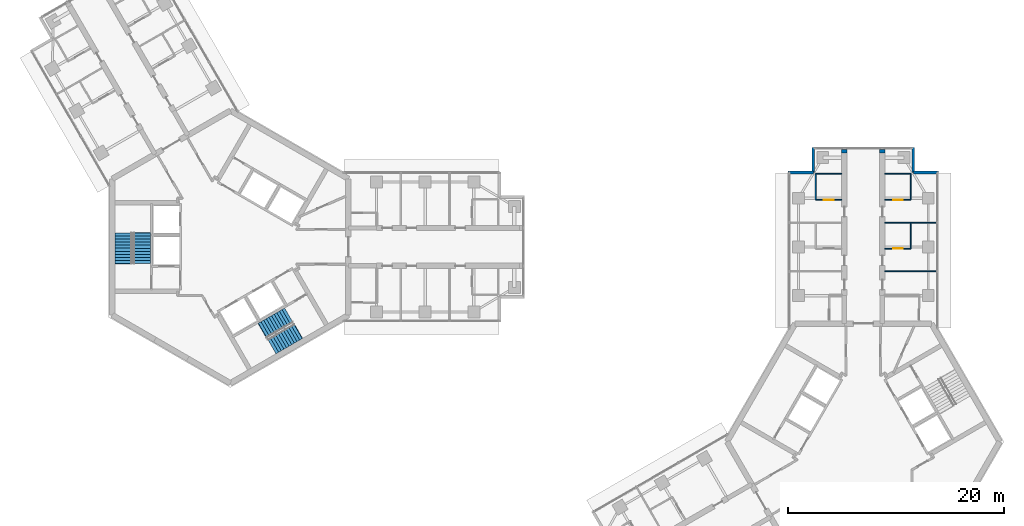
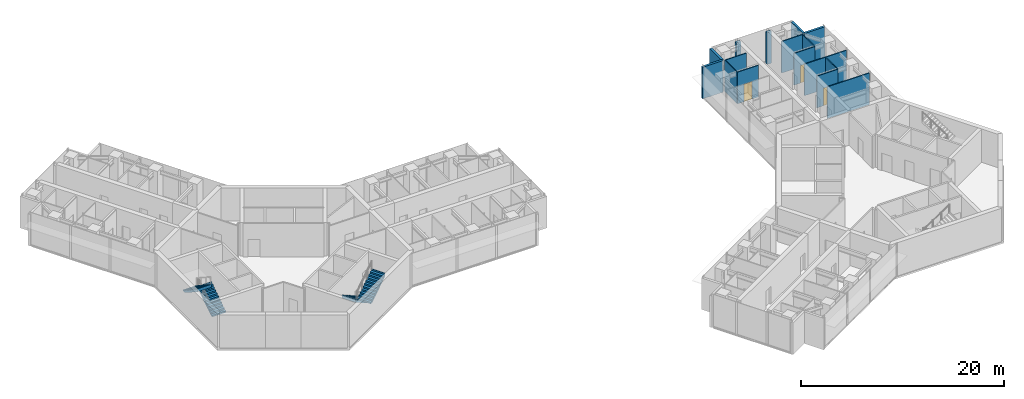
# One storey, part 16 of 18: 16 walls, 4 stair flights, 3 doors, 3 openings, 2 elements without a shape of their own.
"""IFC4 building model written with IfcOpenShell, lengths in metres."""

from ifc_helpers import new_model, si_unit, direction, frame, frame_2d, origin, place, context, subcontext, project, spatial, polyline, rectangle, outline, extrude, material, layer, layer_set, type_object, element, fill, aggregate, save


model = new_model("IFC4")

# Units and contexts
model_context = context("Model", 3, precision=1e-05, world=origin(), true_north=direction((0.0, 1.0)))
body_context = subcontext(model_context, "Body", "Model", "MODEL_VIEW")
ifc_project = project(units=[si_unit("LENGTHUNIT", "METRE"), si_unit("AREAUNIT", "SQUARE_METRE"), si_unit("VOLUMEUNIT", "CUBIC_METRE"), si_unit("PLANEANGLEUNIT", "RADIAN"), si_unit("MASSUNIT", "GRAM", prefix="KILO")], contexts=[model_context])

# Site, building, storey
site_placement = place(None, origin())
site = spatial("IfcSite", under=ifc_project, at=site_placement, CompositionType="ELEMENT")
building_placement = place(site_placement, origin())
building = spatial("IfcBuilding", under=site, at=building_placement, Name="Upepo Twin Towers", CompositionType="ELEMENT")
storey_placement = place(building_placement, frame((0.0, 0.0, 226.5)))
storey = spatial("IfcBuildingStorey", under=building, at=storey_placement, Name="L55", CompositionType="ELEMENT", Elevation=226.5)

# Walls
ifc_material_1 = material(Name="Dense concrete blockwork", Category="masonry")
ifc_layer_1 = layer(ifc_material_1, 0.5)
ifc_layer_set_1 = layer_set([ifc_layer_1], Name="Buttress closer 500, blockwork with fire-stopping to the curtain wall")
wall_type_1 = type_object("IfcWallType", Name="Buttress closer 500, blockwork with fire-stopping to the curtain wall", PredefinedType="PARTITIONING", material=ifc_layer_set_1)
for number, where, z_axis, x_axis, name in (
    (1, (56.75, 8.699951171875, 0.0), (0.0, 0.0, 1.0), (0.0, 1.0, 0.0), "T2 L55 wing A buttress closer L"),
    (2, (60.25, 8.699951171875, 0.0), (0.0, 0.0, 1.0), (0.0, 1.0, 0.0), "T2 L55 wing A buttress closer R"),
):
    element("IfcWall", number, at=place(storey_placement, frame(where, z_axis=z_axis, x_axis=x_axis)), inside=storey, type_object=wall_type_1, Name=name, PredefinedType="PARTITIONING", context=body_context, shape_type="SweptSolid", body=[
        extrude(rectangle(XDim=0.28759765625, YDim=0.5, at=frame_2d((0.143798828125, 0.0))), origin(), (0.0, 0.0, 1.0), 3.800048828125),
    ])
ifc_material_2 = material(Name="Blockwork with anodised aluminium cladding", Category="masonry")
ifc_layer_2 = layer(ifc_material_2, 0.25)
ifc_layer_set_2 = layer_set([ifc_layer_2], Name="Notch cladding wall 250, pale metal")
wall_type_2 = type_object("IfcWallType", Name="Notch cladding wall 250, pale metal", PredefinedType="STANDARD", material=ifc_layer_set_2)
for number, where, z_axis, x_axis, name in (
    (3, (51.550048828125, 6.875, 0.0), (0.0, 0.0, 1.0), (1.0, 0.0, 0.0), "T2 L55 wing A notch wall L1"),
    (4, (53.875, 6.875, 0.0), (0.0, 0.0, 1.0), (0.0, 1.0, 0.0), "T2 L55 wing A notch wall L2"),
    (5, (65.449951171875, 6.875, 0.0), (0.0, 0.0, 1.0), (-1.0, 0.0, 0.0), "T2 L55 wing A notch wall R1"),
    (6, (63.125, 6.875, 0.0), (0.0, 0.0, 1.0), (0.0, 1.0, 0.0), "T2 L55 wing A notch wall R2"),
):
    element("IfcWall", number, at=place(storey_placement, frame(where, z_axis=z_axis, x_axis=x_axis)), inside=storey, type_object=wall_type_2, Name=name, PredefinedType="STANDARD", context=body_context, shape_type="SweptSolid", body=[
        extrude(rectangle(XDim=2.324951171875, YDim=0.25, at=frame_2d((1.16259765625, 0.0))), origin(), (0.0, 0.0, 1.0), 3.800048828125),
    ])
ifc_material_3 = material(Name="Gypsum board on steel studs", Category="steel")
ifc_layer_3 = layer(ifc_material_3, 0.10009765625)
ifc_layer_set_3 = layer_set([ifc_layer_3], Name="Office partition 100 stud")
wall_type_3 = type_object("IfcWallType", Name="Office partition 100 stud", PredefinedType="PARTITIONING", material=ifc_layer_set_3)
wall_1_placement = place(storey_placement, frame((54.10009765625, 4.35009765625, 0.0), z_axis=(0.0, 0.0, 1.0), x_axis=(0.0, 1.0, 0.0)))
element("IfcWall", 7, at=wall_1_placement, inside=storey, type_object=wall_type_3, Name="T2 inner room partition AL at 22.35", PredefinedType="PARTITIONING", context=body_context, shape_type="SweptSolid", body=[
    extrude(rectangle(XDim=2.39990234375, YDim=0.10009765625, at=frame_2d((1.199951171875, 0.0))), origin(), (0.0, 0.0, 1.0), 3.800048828125),
])

# Wall, opening, door
wall_2_placement = place(storey_placement, frame((56.5, 4.35009765625, 0.0), z_axis=(0.0, 0.0, 1.0), x_axis=(-1.0, 0.0, 0.0)))
wall_2 = element("IfcWall", 8, at=wall_2_placement, inside=storey, type_object=wall_type_3, Name="T2 inner room partition AL end at 22.35", PredefinedType="PARTITIONING", context=body_context, shape_type="SweptSolid", body=[
    extrude(rectangle(XDim=2.39990234375, YDim=0.10009765625, at=frame_2d((1.199951171875, 0.0))), origin(), (0.0, 0.0, 1.0), 3.800048828125),
])
opening_1_placement = place(wall_2_placement, frame((0.75, 0.0, 0.0)))
opening_1 = element("IfcOpeningElement", 9, at=opening_1_placement, cuts=wall_2, Name="Opening D14", PredefinedType="OPENING", context=body_context, shape_type="SweptSolid", body=[
    extrude(rectangle(XDim=0.89990234375, YDim=2.10009765625, at=frame_2d((0.449951171875, 1.050048828125))), frame((0.0, 0.06005859375, 0.0), z_axis=(0.0, -1.0, 0.0), x_axis=(1.0, 0.0, 0.0)), (0.0, 0.0, 1.0), 0.1201171875),
])
ifc_material_4 = material(Name="Timber doorset", Category="wood")
door_type = type_object("IfcDoorType", Name="Office door 900 FD30", OperationType="SINGLE_SWING_LEFT", PredefinedType="DOOR", material=ifc_material_4)
door_1_placement = place(opening_1_placement, origin())
door_1 = element("IfcDoor", 10, at=door_1_placement, inside=storey, type_object=door_type, Name="T2 L55 inner room door", OperationType="SINGLE_SWING_LEFT", OverallHeight=2.10009765625, OverallWidth=0.89990234375, PredefinedType="DOOR", context=body_context, shape_type="SweptSolid", body=[
    extrude(rectangle(XDim=0.89990234375, YDim=2.10009765625, at=frame_2d((0.449951171875, 1.050048828125))), frame((0.0, 0.02490234375, 0.0), z_axis=(0.0, -1.0, 0.0), x_axis=(1.0, 0.0, 0.0)), (0.0, 0.0, 1.0), 0.050048828125),
])
fill(opening_1, door_1)

# Walls
wall_3_placement = place(storey_placement, frame((56.5, 6.75, 0.0), z_axis=(0.0, 0.0, 1.0), x_axis=(-1.0, 0.0, 0.0)))
element("IfcWall", 11, at=wall_3_placement, inside=storey, type_object=wall_type_3, Name="T2 inner room partition AL end at 24.75", PredefinedType="PARTITIONING", context=body_context, shape_type="SweptSolid", body=[
    extrude(rectangle(XDim=2.39990234375, YDim=0.10009765625, at=frame_2d((1.199951171875, 0.0))), origin(), (0.0, 0.0, 1.0), 3.800048828125),
])
for number, where, z_axis, x_axis, name in (
    (12, (60.5, -2.25, 0.0), (0.0, 0.0, 1.0), (1.0, 0.0, 0.0), "T2 partition AR at 15.75"),
    (13, (60.5, 2.25, 0.0), (0.0, 0.0, 1.0), (1.0, 0.0, 0.0), "T2 partition AR at 20.25"),
):
    element("IfcWall", number, at=place(storey_placement, frame(where, z_axis=z_axis, x_axis=x_axis)), inside=storey, type_object=wall_type_3, Name=name, PredefinedType="PARTITIONING", context=body_context, shape_type="SweptSolid", body=[
        extrude(rectangle(XDim=4.75, YDim=0.10009765625, at=frame_2d((2.375, 0.0))), origin(), (0.0, 0.0, 1.0), 3.800048828125),
    ])
wall_4_placement = place(storey_placement, frame((62.89990234375, -0.14990234375, 0.0), z_axis=(0.0, 0.0, 1.0), x_axis=(0.0, 1.0, 0.0)))
element("IfcWall", 14, at=wall_4_placement, inside=storey, type_object=wall_type_3, Name="T2 inner room partition AR at 17.85", PredefinedType="PARTITIONING", context=body_context, shape_type="SweptSolid", body=[
    extrude(rectangle(XDim=2.39990234375, YDim=0.10009765625, at=frame_2d((1.199951171875, 0.0))), origin(), (0.0, 0.0, 1.0), 3.800048828125),
])

# Wall, opening, door
wall_5_placement = place(storey_placement, frame((60.5, -0.14990234375, 0.0), z_axis=(0.0, 0.0, 1.0), x_axis=(1.0, 0.0, 0.0)))
wall_5 = element("IfcWall", 15, at=wall_5_placement, inside=storey, type_object=wall_type_3, Name="T2 inner room partition AR end at 17.85", PredefinedType="PARTITIONING", context=body_context, shape_type="SweptSolid", body=[
    extrude(rectangle(XDim=2.39990234375, YDim=0.10009765625, at=frame_2d((1.199951171875, 0.0))), origin(), (0.0, 0.0, 1.0), 3.800048828125),
])
opening_2_placement = place(wall_5_placement, frame((0.75, 0.0, 0.0)))
opening_2 = element("IfcOpeningElement", 16, at=opening_2_placement, cuts=wall_5, Name="Opening D14", PredefinedType="OPENING", context=body_context, shape_type="SweptSolid", body=[
    extrude(rectangle(XDim=0.89990234375, YDim=2.10009765625, at=frame_2d((0.449951171875, 1.050048828125))), frame((0.0, 0.06005859375, 0.0), z_axis=(0.0, -1.0, 0.0), x_axis=(1.0, 0.0, 0.0)), (0.0, 0.0, 1.0), 0.1201171875),
])
door_2_placement = place(opening_2_placement, origin())
door_2 = element("IfcDoor", 17, at=door_2_placement, inside=storey, type_object=door_type, Name="T2 L55 inner room door", OperationType="SINGLE_SWING_LEFT", OverallHeight=2.10009765625, OverallWidth=0.89990234375, PredefinedType="DOOR", context=body_context, shape_type="SweptSolid", body=[
    extrude(rectangle(XDim=0.89990234375, YDim=2.10009765625, at=frame_2d((0.449951171875, 1.050048828125))), frame((0.0, 0.02490234375, 0.0), z_axis=(0.0, -1.0, 0.0), x_axis=(1.0, 0.0, 0.0)), (0.0, 0.0, 1.0), 0.050048828125),
])
fill(opening_2, door_2)

# Wall
wall_6_placement = place(storey_placement, frame((62.89990234375, 4.35009765625, 0.0), z_axis=(0.0, 0.0, 1.0), x_axis=(0.0, 1.0, 0.0)))
element("IfcWall", 18, at=wall_6_placement, inside=storey, type_object=wall_type_3, Name="T2 inner room partition AR at 22.35", PredefinedType="PARTITIONING", context=body_context, shape_type="SweptSolid", body=[
    extrude(rectangle(XDim=2.39990234375, YDim=0.10009765625, at=frame_2d((1.199951171875, 0.0))), origin(), (0.0, 0.0, 1.0), 3.800048828125),
])

# Wall, opening, door
wall_7_placement = place(storey_placement, frame((60.5, 4.35009765625, 0.0), z_axis=(0.0, 0.0, 1.0), x_axis=(1.0, 0.0, 0.0)))
wall_7 = element("IfcWall", 19, at=wall_7_placement, inside=storey, type_object=wall_type_3, Name="T2 inner room partition AR end at 22.35", PredefinedType="PARTITIONING", context=body_context, shape_type="SweptSolid", body=[
    extrude(rectangle(XDim=2.39990234375, YDim=0.10009765625, at=frame_2d((1.199951171875, 0.0))), origin(), (0.0, 0.0, 1.0), 3.800048828125),
])
opening_3_placement = place(wall_7_placement, frame((0.75, 0.0, 0.0)))
opening_3 = element("IfcOpeningElement", 20, at=opening_3_placement, cuts=wall_7, Name="Opening D14", PredefinedType="OPENING", context=body_context, shape_type="SweptSolid", body=[
    extrude(rectangle(XDim=0.89990234375, YDim=2.10009765625, at=frame_2d((0.449951171875, 1.050048828125))), frame((0.0, 0.06005859375, 0.0), z_axis=(0.0, -1.0, 0.0), x_axis=(1.0, 0.0, 0.0)), (0.0, 0.0, 1.0), 0.1201171875),
])
door_3_placement = place(opening_3_placement, origin())
door_3 = element("IfcDoor", 21, at=door_3_placement, inside=storey, type_object=door_type, Name="T2 L55 inner room door", OperationType="SINGLE_SWING_LEFT", OverallHeight=2.10009765625, OverallWidth=0.89990234375, PredefinedType="DOOR", context=body_context, shape_type="SweptSolid", body=[
    extrude(rectangle(XDim=0.89990234375, YDim=2.10009765625, at=frame_2d((0.449951171875, 1.050048828125))), frame((0.0, 0.02490234375, 0.0), z_axis=(0.0, -1.0, 0.0), x_axis=(1.0, 0.0, 0.0)), (0.0, 0.0, 1.0), 0.050048828125),
])
fill(opening_3, door_3)

# Wall
wall_8_placement = place(storey_placement, frame((60.5, 6.75, 0.0), z_axis=(0.0, 0.0, 1.0), x_axis=(1.0, 0.0, 0.0)))
element("IfcWall", 22, at=wall_8_placement, inside=storey, type_object=wall_type_3, Name="T2 inner room partition AR end at 24.75", PredefinedType="PARTITIONING", context=body_context, shape_type="SweptSolid", body=[
    extrude(rectangle(XDim=2.39990234375, YDim=0.10009765625, at=frame_2d((1.199951171875, 0.0))), origin(), (0.0, 0.0, 1.0), 3.800048828125),
])

# Stair, stair flights
ifc_material_5 = material(Name="Concrete C40/50", Category="concrete")
stair_type = type_object("IfcStairType", Name="Core stair, two flights", PredefinedType="HALF_TURN_STAIR", material=ifc_material_5)
stair_1_placement = place(storey_placement, origin())
stair_1 = element("IfcStair", 23, at=stair_1_placement, inside=storey, type_object=stair_type, Name="T1 stair S1 L55", PredefinedType="HALF_TURN_STAIR")
ifc_material_6 = material(Name="Concrete C40/50", Category="concrete")
stair_flight_type = type_object("IfcStairFlightType", Name="Stair flight 1550 RC", PredefinedType="STRAIGHT", material=ifc_material_6)
stair_flight_1_placement = place(storey_placement, frame((-8.175048828125, -1.52001953125, 0.0), z_axis=(0.0, 0.0, 1.0), x_axis=(0.0, 1.0, 0.0)))
stair_flight_1 = element("IfcStairFlight", 24, at=stair_flight_1_placement, type_object=stair_flight_type, Name="Stair S1 flight 1", NumberOfRisers=11, NumberOfTreads=10, PredefinedType="STRAIGHT", RiserHeight=0.181818182, TreadLength=0.28, context=body_context, shape_type="SweptSolid", body=[
    extrude(outline(polyline([(0.0, 0.0), (0.0, 0.181884765625), (0.280029296875, 0.181884765625), (0.280029296875, 0.363525390625), (0.56005859375, 0.363525390625), (0.56005859375, 0.54541015625), (0.840087890625, 0.54541015625), (0.840087890625, 0.727294921875), (1.1201171875, 0.727294921875), (1.1201171875, 0.9091796875), (1.39990234375, 0.9091796875), (1.39990234375, 1.0908203125), (1.679931640625, 1.0908203125), (1.679931640625, 1.272705078125), (1.9599609375, 1.272705078125), (1.9599609375, 1.45458984375), (2.239990234375, 1.45458984375), (2.239990234375, 1.636474609375), (2.52001953125, 1.636474609375), (2.52001953125, 1.818115234375), (2.800048828125, 1.818115234375), (2.800048828125, 2.0), (2.85009765625, 2.0), (2.85009765625, 1.639404296875), (0.3251953125, 0.0), (0.0, 0.0)])), frame((0.0, 0.77490234375, 0.0), z_axis=(0.0, -1.0, 0.0), x_axis=(1.0, 0.0, 0.0)), (0.0, 0.0, 1.0), 1.550048828125),
])
stair_flight_2_placement = place(storey_placement, frame((-9.88330078125, 1.280029296875, 2.0), z_axis=(0.0, 0.0, 1.0), x_axis=(0.0, -1.0, 0.0)))
stair_flight_2 = element("IfcStairFlight", 25, at=stair_flight_2_placement, type_object=stair_flight_type, Name="Stair S1 flight 2", NumberOfRisers=11, NumberOfTreads=10, PredefinedType="STRAIGHT", RiserHeight=0.181818182, TreadLength=0.28, context=body_context, shape_type="SweptSolid", body=[
    extrude(outline(polyline([(0.0, 0.0), (0.0, 0.181884765625), (0.280029296875, 0.181884765625), (0.280029296875, 0.363525390625), (0.56005859375, 0.363525390625), (0.56005859375, 0.54541015625), (0.840087890625, 0.54541015625), (0.840087890625, 0.727294921875), (1.1201171875, 0.727294921875), (1.1201171875, 0.9091796875), (1.39990234375, 0.9091796875), (1.39990234375, 1.0908203125), (1.679931640625, 1.0908203125), (1.679931640625, 1.272705078125), (1.9599609375, 1.272705078125), (1.9599609375, 1.45458984375), (2.239990234375, 1.45458984375), (2.239990234375, 1.636474609375), (2.52001953125, 1.636474609375), (2.52001953125, 1.818115234375), (2.800048828125, 1.818115234375), (2.800048828125, 2.0), (2.85009765625, 2.0), (2.85009765625, 1.639404296875), (0.3251953125, 0.0), (0.0, 0.0)])), frame((0.0, 0.77490234375, 0.0), z_axis=(0.0, -1.0, 0.0), x_axis=(1.0, 0.0, 0.0)), (0.0, 0.0, 1.0), 1.550048828125),
])
aggregate(stair_1, [stair_flight_1, stair_flight_2])

stair_2_placement = place(storey_placement, origin())
stair_2 = element("IfcStair", 26, at=stair_2_placement, inside=storey, type_object=stair_type, Name="T1 stair S2 L55", PredefinedType="HALF_TURN_STAIR")
stair_flight_3_placement = place(storey_placement, frame((5.40380859375, -6.31982421875, 0.0), z_axis=(0.0, 0.0, 1.0), x_axis=(-0.866025403784, -0.5, 0.0)))
stair_flight_3 = element("IfcStairFlight", 27, at=stair_flight_3_placement, type_object=stair_flight_type, Name="Stair S2 flight 1", NumberOfRisers=11, NumberOfTreads=10, PredefinedType="STRAIGHT", RiserHeight=0.181818182, TreadLength=0.28, context=body_context, shape_type="SweptSolid", body=[
    extrude(outline(polyline([(0.0, 0.0), (0.0, 0.181884765625), (0.280029296875, 0.181884765625), (0.280029296875, 0.363525390625), (0.56005859375, 0.363525390625), (0.56005859375, 0.54541015625), (0.840087890625, 0.54541015625), (0.840087890625, 0.727294921875), (1.1201171875, 0.727294921875), (1.1201171875, 0.9091796875), (1.39990234375, 0.9091796875), (1.39990234375, 1.0908203125), (1.679931640625, 1.0908203125), (1.679931640625, 1.272705078125), (1.9599609375, 1.272705078125), (1.9599609375, 1.45458984375), (2.239990234375, 1.45458984375), (2.239990234375, 1.636474609375), (2.52001953125, 1.636474609375), (2.52001953125, 1.818115234375), (2.800048828125, 1.818115234375), (2.800048828125, 2.0), (2.85009765625, 2.0), (2.85009765625, 1.639404296875), (0.3251953125, 0.0), (0.0, 0.0)])), frame((0.0, 0.77490234375, 0.0), z_axis=(0.0, -1.0, 0.0), x_axis=(1.0, 0.0, 0.0)), (0.0, 0.0, 1.0), 1.550048828125),
])
stair_flight_4_placement = place(storey_placement, frame((3.833251953125, -9.19921875, 2.0), z_axis=(0.0, 0.0, 1.0), x_axis=(0.866025403784, 0.5, 0.0)))
stair_flight_4 = element("IfcStairFlight", 28, at=stair_flight_4_placement, type_object=stair_flight_type, Name="Stair S2 flight 2", NumberOfRisers=11, NumberOfTreads=10, PredefinedType="STRAIGHT", RiserHeight=0.181818182, TreadLength=0.28, context=body_context, shape_type="SweptSolid", body=[
    extrude(outline(polyline([(0.0, 0.0), (0.0, 0.181884765625), (0.280029296875, 0.181884765625), (0.280029296875, 0.363525390625), (0.56005859375, 0.363525390625), (0.56005859375, 0.54541015625), (0.840087890625, 0.54541015625), (0.840087890625, 0.727294921875), (1.1201171875, 0.727294921875), (1.1201171875, 0.9091796875), (1.39990234375, 0.9091796875), (1.39990234375, 1.0908203125), (1.679931640625, 1.0908203125), (1.679931640625, 1.272705078125), (1.9599609375, 1.272705078125), (1.9599609375, 1.45458984375), (2.239990234375, 1.45458984375), (2.239990234375, 1.636474609375), (2.52001953125, 1.636474609375), (2.52001953125, 1.818115234375), (2.800048828125, 1.818115234375), (2.800048828125, 2.0), (2.85009765625, 2.0), (2.85009765625, 1.639404296875), (0.3251953125, 0.0), (0.0, 0.0)])), frame((0.0, 0.77490234375, 0.0), z_axis=(0.0, -1.0, 0.0), x_axis=(1.0, 0.0, 0.0)), (0.0, 0.0, 1.0), 1.550048828125),
])
aggregate(stair_2, [stair_flight_3, stair_flight_4])

save(model, "model.ifc")
